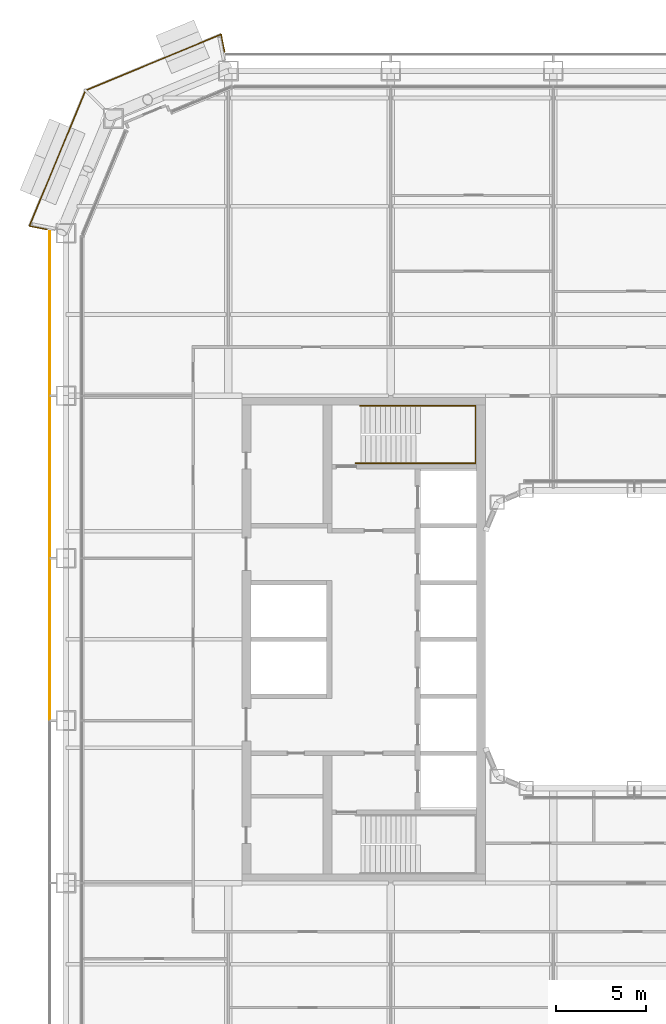
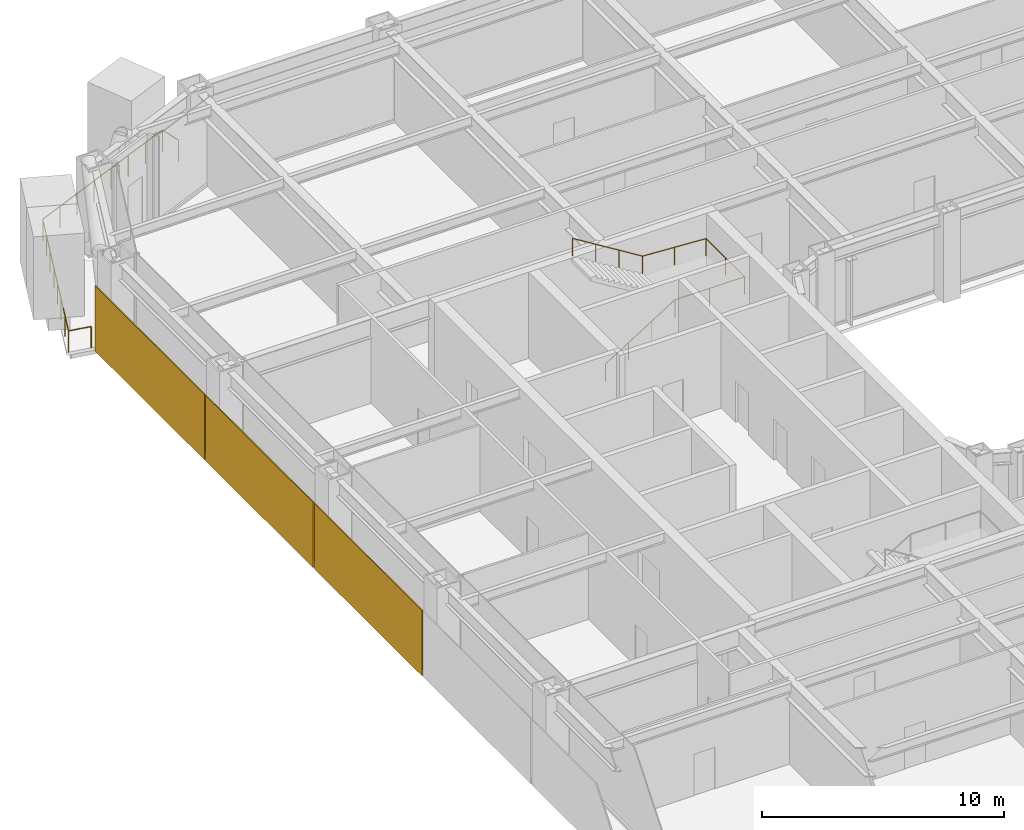
# One storey, part 25 of 28: 3 coverings, 2 railings.
"""IFC4 building model written with IfcOpenShell, lengths in metres."""

from ifc_helpers import new_model, si_unit, direction, frame, origin, origin_2d, place, context, subcontext, project, spatial, rectangle, circle, extrude, material, layer, layer_set, type_object, element, save


model = new_model("IFC4")

# Units and contexts
model_context = context("Model", 3, precision=1e-05, world=origin(), true_north=direction((0.0, 1.0)))
body_context = subcontext(model_context, "Body", "Model", "MODEL_VIEW")
ifc_project = project(units=[si_unit("LENGTHUNIT", "METRE"), si_unit("AREAUNIT", "SQUARE_METRE"), si_unit("VOLUMEUNIT", "CUBIC_METRE"), si_unit("PLANEANGLEUNIT", "RADIAN"), si_unit("MASSUNIT", "GRAM", prefix="KILO")], contexts=[model_context])

# Site, building, storey
site_placement = place(None, origin())
site = spatial("IfcSite", under=ifc_project, at=site_placement, CompositionType="ELEMENT")
building_placement = place(site_placement, origin())
building = spatial("IfcBuilding", under=site, at=building_placement, Name="Siwar Civic Tower", CompositionType="ELEMENT")
storey_placement = place(building_placement, frame((0.0, 0.0, 31.199951171875)))
storey = spatial("IfcBuildingStorey", under=building, at=storey_placement, Name="L06", CompositionType="ELEMENT", Elevation=31.199951171875)

# Railings
ifc_material_1 = material(Name="Stainless steel", Category="steel")
railing_type_1 = type_object("IfcRailingType", Name="CORE-STAIR-HANDRAIL", PredefinedType="HANDRAIL", material=ifc_material_1)
railing_1_placement = place(storey_placement, frame((-15.449951171875, 9.758056640625, 0.173095703125)))
element("IfcRailing", 1, at=railing_1_placement, inside=storey, type_object=railing_type_1, Name="Stair handrail ST1", PredefinedType="HANDRAIL", context=body_context, shape_type="SweptSolid", body=[
    extrude(circle(Radius=0.02001953125, at=origin_2d()), frame((0.0, 0.0, 0.8798828125), z_axis=(0.847063342986, 0.0, 0.531491950051), x_axis=(0.0, 1.0, 0.0)), (0.0, 0.0, 1.0), 3.90771484375),
    extrude(circle(Radius=0.02001953125, at=origin_2d()), frame((3.31005859375, 0.0, 2.956787109375), z_axis=(1.0, 0.0, 0.0), x_axis=(0.0, 1.0, 0.0)), (0.0, 0.0, 1.0), 3.331787109375),
    extrude(circle(Radius=0.02001953125, at=origin_2d()), frame((6.641845703125, 0.0, 2.956787109375), z_axis=(0.0, 1.0, 0.0), x_axis=(-1.0, 0.0, 0.0)), (0.0, 0.0, 1.0), 3.183837890625),
    extrude(circle(Radius=0.02001953125, at=origin_2d()), frame((6.641845703125, 3.183837890625, 2.956787109375), z_axis=(-0.99837434197, 0.0, 0.056997134106), x_axis=(0.0, -1.0, 0.0)), (0.0, 0.0, 1.0), 3.036865234375),
    extrude(circle(Radius=0.02001953125, at=origin_2d()), frame((3.60986328125, 3.183837890625, 3.1298828125), z_axis=(-0.850606129759, 0.0, 0.525803396734), x_axis=(0.0, -1.0, 0.0)), (0.0, 0.0, 1.0), 3.949951171875),
    extrude(circle(Radius=0.02001953125, at=origin_2d()), origin(), (0.0, 0.0, 1.0), 0.85986328125),
    extrude(circle(Radius=0.02001953125, at=origin_2d()), frame((1.103271484375, 0.0, 0.6923828125)), (0.0, 0.0, 1.0), 0.85986328125),
    extrude(circle(Radius=0.02001953125, at=origin_2d()), frame((2.206787109375, 0.0, 1.384521484375)), (0.0, 0.0, 1.0), 0.85986328125),
    extrude(circle(Radius=0.02001953125, at=origin_2d()), frame((3.31005859375, 0.0, 2.076904296875)), (0.0, 0.0, 1.0), 0.85986328125),
    extrude(circle(Radius=0.02001953125, at=origin_2d()), frame((4.97607421875, 0.0, 2.076904296875)), (0.0, 0.0, 1.0), 0.85986328125),
    extrude(circle(Radius=0.02001953125, at=origin_2d()), frame((6.641845703125, 0.0, 2.076904296875)), (0.0, 0.0, 1.0), 0.85986328125),
    extrude(circle(Radius=0.02001953125, at=origin_2d()), frame((6.641845703125, 1.591796875, 2.076904296875)), (0.0, 0.0, 1.0), 0.85986328125),
    extrude(circle(Radius=0.02001953125, at=origin_2d()), frame((6.641845703125, 3.183837890625, 2.076904296875)), (0.0, 0.0, 1.0), 0.85986328125),
    extrude(circle(Radius=0.02001953125, at=origin_2d()), frame((5.1259765625, 3.183837890625, 2.16357421875)), (0.0, 0.0, 1.0), 0.85986328125),
    extrude(circle(Radius=0.02001953125, at=origin_2d()), frame((3.60986328125, 3.183837890625, 2.25)), (0.0, 0.0, 1.0), 0.85986328125),
    extrude(circle(Radius=0.02001953125, at=origin_2d()), frame((2.489990234375, 3.183837890625, 2.9423828125)), (0.0, 0.0, 1.0), 0.85986328125),
    extrude(circle(Radius=0.02001953125, at=origin_2d()), frame((1.369873046875, 3.183837890625, 3.634521484375)), (0.0, 0.0, 1.0), 0.85986328125),
    extrude(circle(Radius=0.02001953125, at=origin_2d()), frame((0.25, 3.183837890625, 4.326904296875)), (0.0, 0.0, 1.0), 0.85986328125),
])
ifc_material_2 = material(Name="Stainless steel 316", Category="steel")
railing_type_2 = type_object("IfcRailingType", Name="ENV-GUARD", PredefinedType="GUARDRAIL", material=ifc_material_2)
railing_2_placement = place(storey_placement, frame((-22.708251953125, 32.547119140625, 0.0)))
element("IfcRailing", 2, at=railing_2_placement, inside=storey, type_object=railing_type_2, Name="Balcony guard NW", PredefinedType="GUARDRAIL", context=body_context, shape_type="SweptSolid", body=[
    extrude(circle(Radius=0.02392578125, at=origin_2d()), frame((0.0, 0.0, 1.076171875), z_axis=(-0.195123592472, 0.980778661911, 0.0), x_axis=(-0.980778661911, -0.195123592472, 0.0)), (0.0, 0.0, 1.0), 0.993408203125),
    extrude(circle(Radius=0.02392578125, at=origin_2d()), frame((-0.19384765625, 0.974365234375, 1.076171875), z_axis=(-0.924089256518, -0.382176720888, 0.0), x_axis=(0.382176720888, -0.924089256518, 0.0)), (0.0, 0.0, 1.0), 8.129638671875),
    extrude(circle(Radius=0.02392578125, at=origin_2d()), frame((-7.706298828125, -2.132568359375, 1.076171875), z_axis=(-0.382176720888, -0.924089256518, 0.0), x_axis=(0.924089256518, -0.382176720888, 0.0)), (0.0, 0.0, 1.0), 8.129638671875),
    extrude(circle(Radius=0.02392578125, at=origin_2d()), frame((-10.813232421875, -9.64501953125, 1.076171875), z_axis=(0.980778661911, -0.195123592472, 0.0), x_axis=(0.195123592472, 0.980778661911, 0.0)), (0.0, 0.0, 1.0), 0.993408203125),
    extrude(circle(Radius=0.02099609375, at=origin_2d()), origin(), (0.0, 0.0, 1.0), 1.052001953125),
    extrude(circle(Radius=0.02099609375, at=origin_2d()), frame((-0.19384765625, 0.974365234375, 0.0)), (0.0, 0.0, 1.0), 1.052001953125),
    extrude(circle(Radius=0.02099609375, at=origin_2d()), frame((-1.26708984375, 0.530517578125, 0.0)), (0.0, 0.0, 1.0), 1.052001953125),
    extrude(circle(Radius=0.02099609375, at=origin_2d()), frame((-2.34033203125, 0.086669921875, 0.0)), (0.0, 0.0, 1.0), 1.052001953125),
    extrude(circle(Radius=0.02099609375, at=origin_2d()), frame((-3.41357421875, -0.357177734375, 0.0)), (0.0, 0.0, 1.0), 1.052001953125),
    extrude(circle(Radius=0.02099609375, at=origin_2d()), frame((-4.486572265625, -0.801025390625, 0.0)), (0.0, 0.0, 1.0), 1.052001953125),
    extrude(circle(Radius=0.02099609375, at=origin_2d()), frame((-5.559814453125, -1.244873046875, 0.0)), (0.0, 0.0, 1.0), 1.052001953125),
    extrude(circle(Radius=0.02099609375, at=origin_2d()), frame((-6.633056640625, -1.688720703125, 0.0)), (0.0, 0.0, 1.0), 1.052001953125),
    extrude(circle(Radius=0.02099609375, at=origin_2d()), frame((-7.706298828125, -2.132568359375, 0.0)), (0.0, 0.0, 1.0), 1.052001953125),
    extrude(circle(Radius=0.02099609375, at=origin_2d()), frame((-8.150146484375, -3.205810546875, 0.0)), (0.0, 0.0, 1.0), 1.052001953125),
    extrude(circle(Radius=0.02099609375, at=origin_2d()), frame((-8.593994140625, -4.279052734375, 0.0)), (0.0, 0.0, 1.0), 1.052001953125),
    extrude(circle(Radius=0.02099609375, at=origin_2d()), frame((-9.037841796875, -5.352294921875, 0.0)), (0.0, 0.0, 1.0), 1.052001953125),
    extrude(circle(Radius=0.02099609375, at=origin_2d()), frame((-9.481689453125, -6.42529296875, 0.0)), (0.0, 0.0, 1.0), 1.052001953125),
    extrude(circle(Radius=0.02099609375, at=origin_2d()), frame((-9.925537109375, -7.49853515625, 0.0)), (0.0, 0.0, 1.0), 1.052001953125),
    extrude(circle(Radius=0.02099609375, at=origin_2d()), frame((-10.369384765625, -8.57177734375, 0.0)), (0.0, 0.0, 1.0), 1.052001953125),
    extrude(circle(Radius=0.02099609375, at=origin_2d()), frame((-10.813232421875, -9.64501953125, 0.0)), (0.0, 0.0, 1.0), 1.052001953125),
    extrude(circle(Radius=0.02099609375, at=origin_2d()), frame((-9.8388671875, -9.8388671875, 0.0)), (0.0, 0.0, 1.0), 1.052001953125),
])

# Coverings
ifc_material_3 = material(Name="Perforated aluminium cassette, pale metal", Category="aluminium")
ifc_layer = layer(ifc_material_3, 0.050048828125)
ifc_layer_set = layer_set([ifc_layer], Name="Perforated aluminium cassette, pale metal")
covering_type = type_object("IfcCoveringType", Name="ENV-OUTER SKIN OS-3", PredefinedType="CLADDING", material=ifc_layer_set)
covering_placement = place(storey_placement, frame((-32.39990234375, 18.07958984375, -0.14990234375), z_axis=(0.0, 0.0, 1.0), x_axis=(0.0, -1.0, 0.0)))
element("IfcCovering", 3, at=covering_placement, inside=storey, type_object=covering_type, Name="OUTER SKIN OS-3 W 1", PredefinedType="CLADDING", context=body_context, shape_type="SweptSolid", body=[
    extrude(rectangle(XDim=9.05908203125, YDim=0.050048828125, at=origin_2d()), origin(), (0.0, 0.0, 1.0), 3.300048828125),
])
for number, where, z_axis, x_axis, name in (
    (4, (-32.39990234375, 9.0, -0.14990234375), (0.0, 0.0, 1.0), (0.0, -1.0, 0.0), "OUTER SKIN OS-3 W 2"),
    (5, (-32.39990234375, 0.0, -0.14990234375), (0.0, 0.0, 1.0), (0.0, -1.0, 0.0), "OUTER SKIN OS-3 W 3"),
):
    element("IfcCovering", number, at=place(storey_placement, frame(where, z_axis=z_axis, x_axis=x_axis)), inside=storey, type_object=covering_type, Name=name, PredefinedType="CLADDING", context=body_context, shape_type="SweptSolid", body=[
        extrude(rectangle(XDim=8.89990234375, YDim=0.050048828125, at=origin_2d()), origin(), (0.0, 0.0, 1.0), 3.300048828125),
    ])

save(model, "model.ifc")
